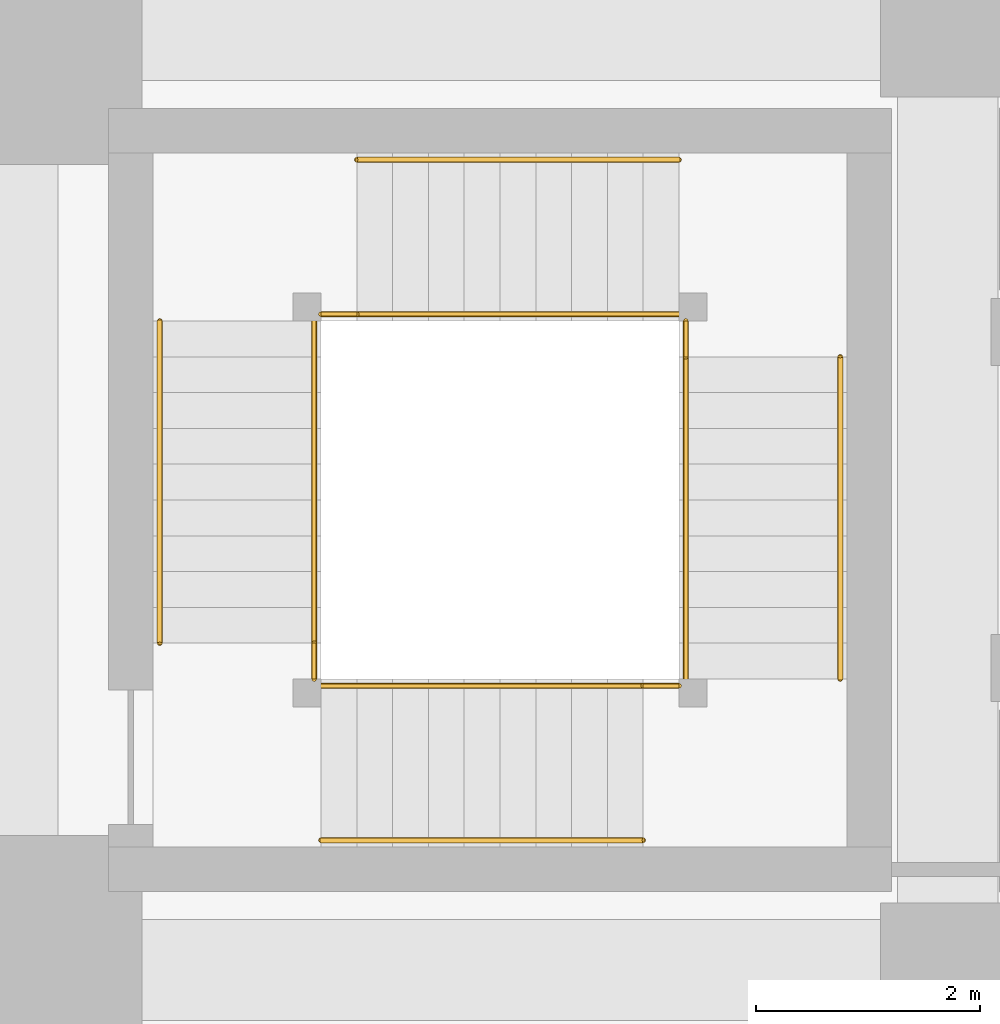
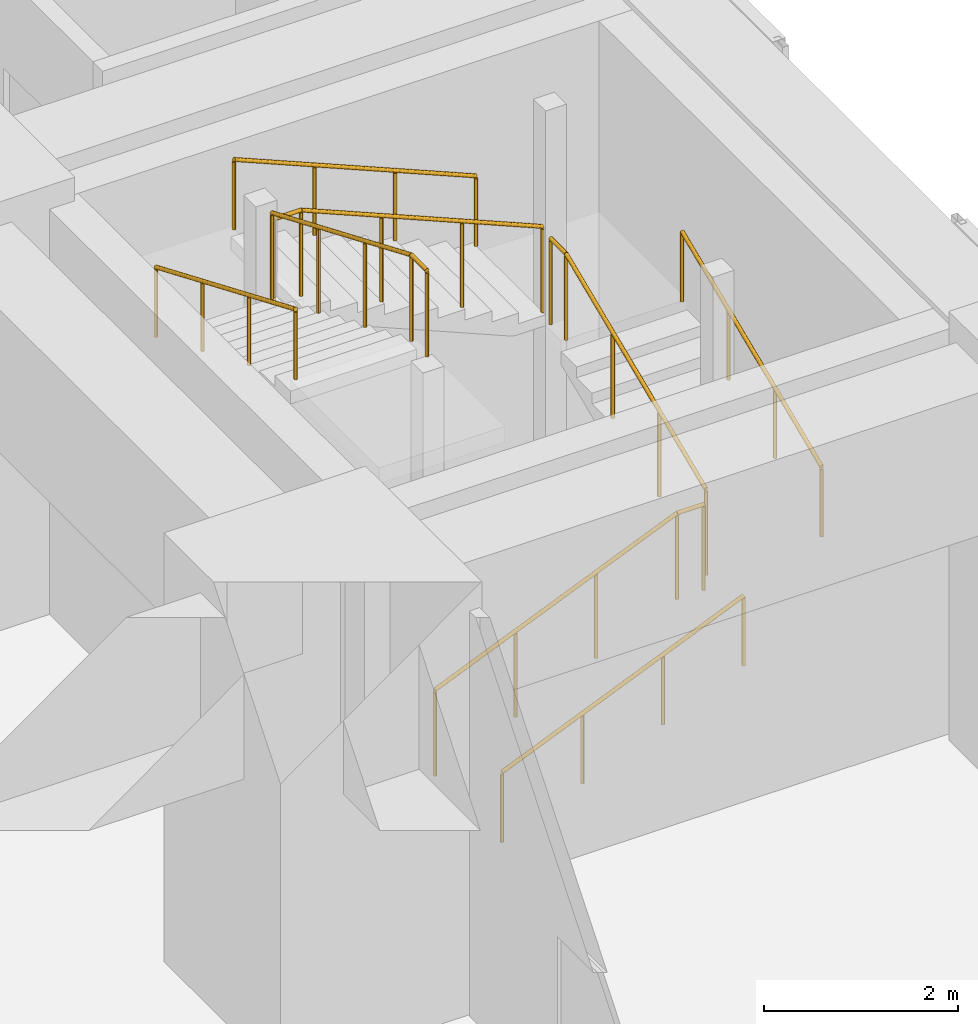
# One storey, part 54 of 81: 12 railings.
"""IFC4 building model written with IfcOpenShell, lengths in metres."""

from ifc_helpers import new_model, si_unit, direction, frame, origin, origin_2d, place, context, subcontext, project, spatial, circle, extrude, material, type_object, element, save


model = new_model("IFC4")

# Units and contexts
model_context = context("Model", 3, precision=1e-05, world=origin(), true_north=direction((0.0, 1.0)))
body_context = subcontext(model_context, "Body", "Model", "MODEL_VIEW")
ifc_project = project(units=[si_unit("LENGTHUNIT", "METRE"), si_unit("AREAUNIT", "SQUARE_METRE"), si_unit("VOLUMEUNIT", "CUBIC_METRE"), si_unit("PLANEANGLEUNIT", "RADIAN"), si_unit("MASSUNIT", "GRAM", prefix="KILO")], contexts=[model_context])

# Site, building, storey
site_placement = place(None, origin())
site = spatial("IfcSite", under=ifc_project, at=site_placement, CompositionType="ELEMENT")
building_placement = place(site_placement, origin())
building = spatial("IfcBuilding", under=site, at=building_placement, Name="Rekha Terrace Tower", CompositionType="ELEMENT")
storey_placement = place(building_placement, origin())
storey = spatial("IfcBuildingStorey", under=building, at=storey_placement, Name="L00", CompositionType="ELEMENT", Elevation=0.0)

# Railings
ifc_material_1 = material(Name="Stainless steel balustrade", Category="steel")
railing_type_1 = type_object("IfcRailingType", Name="GR1 1100 stair guard", PredefinedType="GUARDRAIL", material=ifc_material_1)
railing_1_placement = place(storey_placement, frame((70.0, 27.739990234375, 0.135009765625)))
element("IfcRailing", 1, at=railing_1_placement, inside=storey, type_object=railing_type_1, Name="Guard SP2 L00 flight 1", PredefinedType="GUARDRAIL", context=body_context, shape_type="SweptSolid", body=[
    extrude(circle(Radius=0.02392578125, at=origin_2d()), frame((0.0, 0.0, 1.076171875), z_axis=(0.921348425517, 0.0, 0.388737802119), x_axis=(0.0, 1.0, 0.0)), (0.0, 0.0, 1.0), 3.125732421875),
    extrude(circle(Radius=0.02099609375, at=origin_2d()), origin(), (0.0, 0.0, 1.0), 1.052001953125),
    extrude(circle(Radius=0.02099609375, at=origin_2d()), frame((0.9599609375, 0.0, 0.405029296875)), (0.0, 0.0, 1.0), 1.052001953125),
    extrude(circle(Radius=0.02099609375, at=origin_2d()), frame((1.919921875, 0.0, 0.81005859375)), (0.0, 0.0, 1.0), 1.052001953125),
    extrude(circle(Radius=0.02099609375, at=origin_2d()), frame((2.8798828125, 0.0, 1.215087890625)), (0.0, 0.0, 1.0), 1.052001953125),
])
railing_2_placement = place(storey_placement, frame((73.260009765625, 27.800048828125, 1.485107421875)))
element("IfcRailing", 2, at=railing_2_placement, inside=storey, type_object=railing_type_1, Name="Guard SP2 L00 flight 2", PredefinedType="GUARDRAIL", context=body_context, shape_type="SweptSolid", body=[
    extrude(circle(Radius=0.02392578125, at=origin_2d()), frame((0.0, 0.0, 1.076171875), z_axis=(0.0, 0.921376398962, 0.388671495527), x_axis=(-1.0, 0.0, 0.0)), (0.0, 0.0, 1.0), 3.125732421875),
    extrude(circle(Radius=0.02099609375, at=origin_2d()), origin(), (0.0, 0.0, 1.0), 1.052001953125),
    extrude(circle(Radius=0.02099609375, at=origin_2d()), frame((0.0, 0.9599609375, 0.405029296875)), (0.0, 0.0, 1.0), 1.052001953125),
    extrude(circle(Radius=0.02099609375, at=origin_2d()), frame((0.0, 1.919921875, 0.809814453125)), (0.0, 0.0, 1.0), 1.052001953125),
    extrude(circle(Radius=0.02099609375, at=origin_2d()), frame((0.0, 2.8798828125, 1.21484375)), (0.0, 0.0, 1.0), 1.052001953125),
])
railing_3_placement = place(storey_placement, frame((73.199951171875, 31.06005859375, 2.8349609375)))
element("IfcRailing", 3, at=railing_3_placement, inside=storey, type_object=railing_type_1, Name="Guard SP2 L00 flight 3", PredefinedType="GUARDRAIL", context=body_context, shape_type="SweptSolid", body=[
    extrude(circle(Radius=0.02392578125, at=origin_2d()), frame((0.0, 0.0, 1.076171875), z_axis=(-0.921348425517, 0.0, 0.388737802119), x_axis=(0.0, -1.0, 0.0)), (0.0, 0.0, 1.0), 3.125732421875),
    extrude(circle(Radius=0.02099609375, at=origin_2d()), origin(), (0.0, 0.0, 1.0), 1.052001953125),
    extrude(circle(Radius=0.02099609375, at=origin_2d()), frame((-0.9599609375, 0.0, 0.405029296875)), (0.0, 0.0, 1.0), 1.052001953125),
    extrude(circle(Radius=0.02099609375, at=origin_2d()), frame((-1.919921875, 0.0, 0.81005859375)), (0.0, 0.0, 1.0), 1.052001953125),
    extrude(circle(Radius=0.02099609375, at=origin_2d()), frame((-2.8798828125, 0.0, 1.215087890625)), (0.0, 0.0, 1.0), 1.052001953125),
])
railing_4_placement = place(storey_placement, frame((69.93994140625, 31.0, 4.18505859375)))
element("IfcRailing", 4, at=railing_4_placement, inside=storey, type_object=railing_type_1, Name="Guard SP2 L00 flight 4", PredefinedType="GUARDRAIL", context=body_context, shape_type="SweptSolid", body=[
    extrude(circle(Radius=0.02392578125, at=origin_2d()), frame((0.0, 0.0, 1.076171875), z_axis=(0.0, -0.921376398962, 0.388671495527), x_axis=(1.0, 0.0, 0.0)), (0.0, 0.0, 1.0), 3.125732421875),
    extrude(circle(Radius=0.02099609375, at=origin_2d()), origin(), (0.0, 0.0, 1.0), 1.052001953125),
    extrude(circle(Radius=0.02099609375, at=origin_2d()), frame((0.0, -0.9599609375, 0.405029296875)), (0.0, 0.0, 1.0), 1.052001953125),
    extrude(circle(Radius=0.02099609375, at=origin_2d()), frame((0.0, -1.919921875, 0.809814453125)), (0.0, 0.0, 1.0), 1.052001953125),
    extrude(circle(Radius=0.02099609375, at=origin_2d()), frame((0.0, -2.8798828125, 1.21484375)), (0.0, 0.0, 1.0), 1.052001953125),
])
railing_5_placement = place(storey_placement, frame((72.8798828125, 27.739990234375, 1.35009765625)))
element("IfcRailing", 5, at=railing_5_placement, inside=storey, type_object=railing_type_1, Name="Guard SP2 L00 landing 1", PredefinedType="GUARDRAIL", context=body_context, shape_type="SweptSolid", body=[
    extrude(circle(Radius=0.02392578125, at=origin_2d()), frame((0.0, 0.0, 1.076171875), z_axis=(1.0, 0.0, 0.0), x_axis=(0.0, 1.0, 0.0)), (0.0, 0.0, 1.0), 0.320068359375),
    extrude(circle(Radius=0.02099609375, at=origin_2d()), origin(), (0.0, 0.0, 1.0), 1.052001953125),
    extrude(circle(Radius=0.02099609375, at=origin_2d()), frame((0.320068359375, 0.0, 0.0)), (0.0, 0.0, 1.0), 1.052001953125),
])
railing_6_placement = place(storey_placement, frame((73.260009765625, 30.679931640625, 2.699951171875)))
element("IfcRailing", 6, at=railing_6_placement, inside=storey, type_object=railing_type_1, Name="Guard SP2 L00 landing 2", PredefinedType="GUARDRAIL", context=body_context, shape_type="SweptSolid", body=[
    extrude(circle(Radius=0.02392578125, at=origin_2d()), frame((0.0, 0.0, 1.076171875), z_axis=(0.0, 1.0, 0.0), x_axis=(-1.0, 0.0, 0.0)), (0.0, 0.0, 1.0), 0.320068359375),
    extrude(circle(Radius=0.02099609375, at=origin_2d()), origin(), (0.0, 0.0, 1.0), 1.052001953125),
    extrude(circle(Radius=0.02099609375, at=origin_2d()), frame((0.0, 0.320068359375, 0.0)), (0.0, 0.0, 1.0), 1.052001953125),
])
railing_7_placement = place(storey_placement, frame((70.0, 31.06005859375, 4.050048828125)))
element("IfcRailing", 7, at=railing_7_placement, inside=storey, type_object=railing_type_1, Name="Guard SP2 L00 landing 3", PredefinedType="GUARDRAIL", context=body_context, shape_type="SweptSolid", body=[
    extrude(circle(Radius=0.02392578125, at=origin_2d()), frame((0.0, 0.0, 1.076171875), z_axis=(1.0, 0.0, 0.0), x_axis=(0.0, 1.0, 0.0)), (0.0, 0.0, 1.0), 0.320068359375),
    extrude(circle(Radius=0.02099609375, at=origin_2d()), origin(), (0.0, 0.0, 1.0), 1.052001953125),
    extrude(circle(Radius=0.02099609375, at=origin_2d()), frame((0.320068359375, 0.0, 0.0)), (0.0, 0.0, 1.0), 1.052001953125),
])
railing_8_placement = place(storey_placement, frame((69.93994140625, 27.800048828125, 5.39990234375)))
element("IfcRailing", 8, at=railing_8_placement, inside=storey, type_object=railing_type_1, Name="Guard SP2 L00 landing 4", PredefinedType="GUARDRAIL", context=body_context, shape_type="SweptSolid", body=[
    extrude(circle(Radius=0.02392578125, at=origin_2d()), frame((0.0, 0.0, 1.076171875), z_axis=(0.0, 1.0, 0.0), x_axis=(-1.0, 0.0, 0.0)), (0.0, 0.0, 1.0), 0.320068359375),
    extrude(circle(Radius=0.02099609375, at=origin_2d()), origin(), (0.0, 0.0, 1.0), 1.052001953125),
    extrude(circle(Radius=0.02099609375, at=origin_2d()), frame((0.0, 0.320068359375, 0.0)), (0.0, 0.0, 1.0), 1.052001953125),
])
ifc_material_2 = material(Name="Stainless steel tube", Category="steel")
railing_type_2 = type_object("IfcRailingType", Name="HR1 900 stair handrail", PredefinedType="HANDRAIL", material=ifc_material_2)
railing_9_placement = place(storey_placement, frame((70.0, 26.360107421875, 0.135009765625)))
element("IfcRailing", 9, at=railing_9_placement, inside=storey, type_object=railing_type_2, Name="Handrail SP2 L00 flight 1", PredefinedType="HANDRAIL", context=body_context, shape_type="SweptSolid", body=[
    extrude(circle(Radius=0.02392578125, at=origin_2d()), frame((0.0, 0.0, 0.8759765625), z_axis=(0.921348425517, 0.0, 0.388737802119), x_axis=(0.0, 1.0, 0.0)), (0.0, 0.0, 1.0), 3.125732421875),
    extrude(circle(Radius=0.02099609375, at=origin_2d()), origin(), (0.0, 0.0, 1.0), 0.851806640625),
    extrude(circle(Radius=0.02099609375, at=origin_2d()), frame((0.9599609375, 0.0, 0.405029296875)), (0.0, 0.0, 1.0), 0.851806640625),
    extrude(circle(Radius=0.02099609375, at=origin_2d()), frame((1.919921875, 0.0, 0.81005859375)), (0.0, 0.0, 1.0), 0.851806640625),
    extrude(circle(Radius=0.02099609375, at=origin_2d()), frame((2.8798828125, 0.0, 1.215087890625)), (0.0, 0.0, 1.0), 0.851806640625),
])
railing_10_placement = place(storey_placement, frame((74.639892578125, 27.800048828125, 1.485107421875)))
element("IfcRailing", 10, at=railing_10_placement, inside=storey, type_object=railing_type_2, Name="Handrail SP2 L00 flight 2", PredefinedType="HANDRAIL", context=body_context, shape_type="SweptSolid", body=[
    extrude(circle(Radius=0.02392578125, at=origin_2d()), frame((0.0, 0.0, 0.8759765625), z_axis=(0.0, 0.921376398962, 0.388671495527), x_axis=(-1.0, 0.0, 0.0)), (0.0, 0.0, 1.0), 3.125732421875),
    extrude(circle(Radius=0.02099609375, at=origin_2d()), origin(), (0.0, 0.0, 1.0), 0.851806640625),
    extrude(circle(Radius=0.02099609375, at=origin_2d()), frame((0.0, 0.9599609375, 0.405029296875)), (0.0, 0.0, 1.0), 0.851806640625),
    extrude(circle(Radius=0.02099609375, at=origin_2d()), frame((0.0, 1.919921875, 0.809814453125)), (0.0, 0.0, 1.0), 0.851806640625),
    extrude(circle(Radius=0.02099609375, at=origin_2d()), frame((0.0, 2.8798828125, 1.21484375)), (0.0, 0.0, 1.0), 0.851806640625),
])
railing_11_placement = place(storey_placement, frame((73.199951171875, 32.43994140625, 2.8349609375)))
element("IfcRailing", 11, at=railing_11_placement, inside=storey, type_object=railing_type_2, Name="Handrail SP2 L00 flight 3", PredefinedType="HANDRAIL", context=body_context, shape_type="SweptSolid", body=[
    extrude(circle(Radius=0.02392578125, at=origin_2d()), frame((0.0, 0.0, 0.8759765625), z_axis=(-0.921348425517, 0.0, 0.388737802119), x_axis=(0.0, -1.0, 0.0)), (0.0, 0.0, 1.0), 3.125732421875),
    extrude(circle(Radius=0.02099609375, at=origin_2d()), origin(), (0.0, 0.0, 1.0), 0.851806640625),
    extrude(circle(Radius=0.02099609375, at=origin_2d()), frame((-0.9599609375, 0.0, 0.405029296875)), (0.0, 0.0, 1.0), 0.851806640625),
    extrude(circle(Radius=0.02099609375, at=origin_2d()), frame((-1.919921875, 0.0, 0.81005859375)), (0.0, 0.0, 1.0), 0.851806640625),
    extrude(circle(Radius=0.02099609375, at=origin_2d()), frame((-2.8798828125, 0.0, 1.215087890625)), (0.0, 0.0, 1.0), 0.851806640625),
])
railing_12_placement = place(storey_placement, frame((68.56005859375, 31.0, 4.18505859375)))
element("IfcRailing", 12, at=railing_12_placement, inside=storey, type_object=railing_type_2, Name="Handrail SP2 L00 flight 4", PredefinedType="HANDRAIL", context=body_context, shape_type="SweptSolid", body=[
    extrude(circle(Radius=0.02392578125, at=origin_2d()), frame((0.0, 0.0, 0.8759765625), z_axis=(0.0, -0.921376398962, 0.388671495527), x_axis=(1.0, 0.0, 0.0)), (0.0, 0.0, 1.0), 3.125732421875),
    extrude(circle(Radius=0.02099609375, at=origin_2d()), origin(), (0.0, 0.0, 1.0), 0.851806640625),
    extrude(circle(Radius=0.02099609375, at=origin_2d()), frame((0.0, -0.9599609375, 0.405029296875)), (0.0, 0.0, 1.0), 0.851806640625),
    extrude(circle(Radius=0.02099609375, at=origin_2d()), frame((0.0, -1.919921875, 0.809814453125)), (0.0, 0.0, 1.0), 0.851806640625),
    extrude(circle(Radius=0.02099609375, at=origin_2d()), frame((0.0, -2.8798828125, 1.21484375)), (0.0, 0.0, 1.0), 0.851806640625),
])

save(model, "model.ifc")
